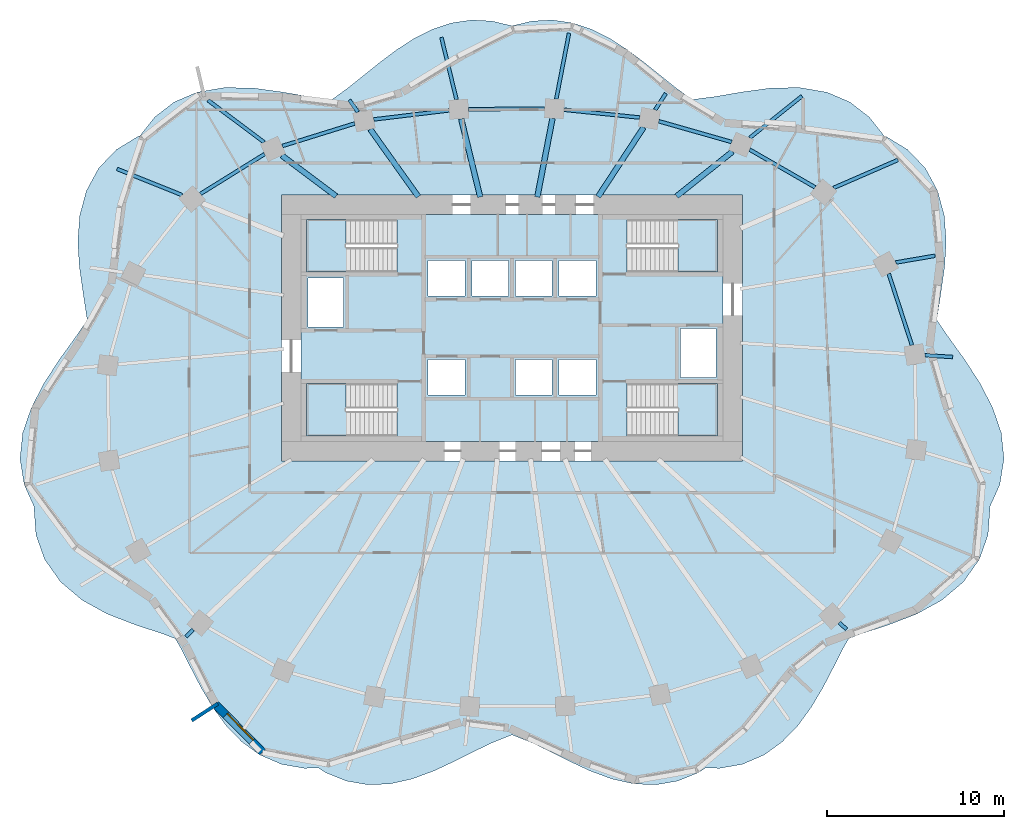
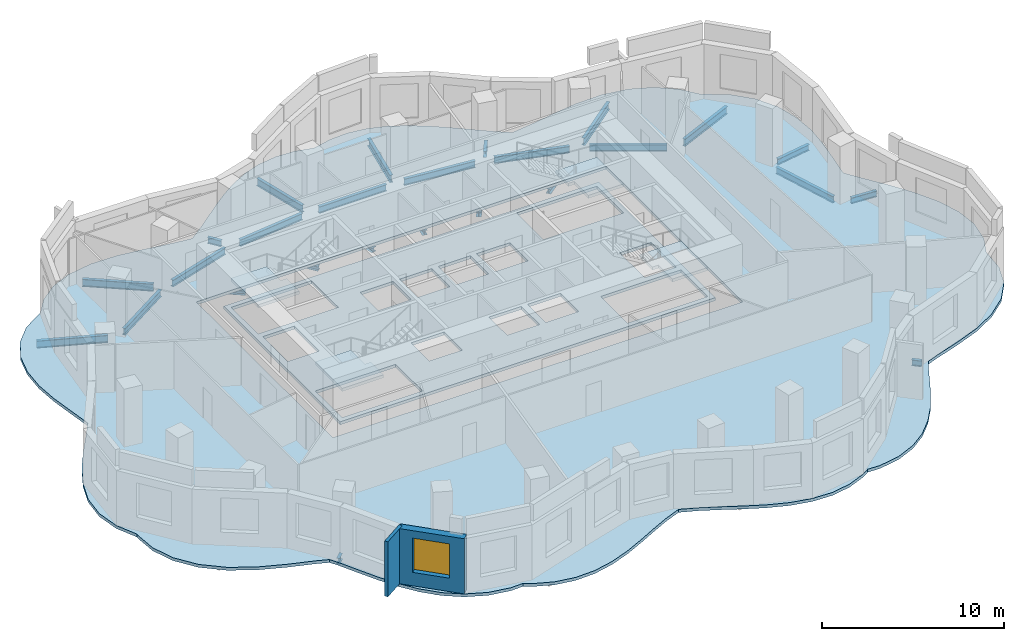
# One storey, part 2 of 9: 26 beams, 6 slabs, 2 walls, 1 window, 1 opening, 4 elements without a shape of their own.
"""IFC4 building model written with IfcOpenShell, lengths in metres."""

from ifc_helpers import new_model, si_unit, direction, frame, frame_2d, origin, origin_2d, place, context, subcontext, project, spatial, polyline, rectangle, i_section, outline, extrude, material, layer, layer_set, material_profile, profile_set, type_object, element, fill, aggregate, save


model = new_model("IFC4")

# Units and contexts
model_context = context("Model", 3, precision=1e-05, world=origin(), true_north=direction((0.0, 1.0)))
body_context = subcontext(model_context, "Body", "Model", "MODEL_VIEW")
ifc_project = project(units=[si_unit("LENGTHUNIT", "METRE"), si_unit("AREAUNIT", "SQUARE_METRE"), si_unit("VOLUMEUNIT", "CUBIC_METRE"), si_unit("PLANEANGLEUNIT", "RADIAN"), si_unit("MASSUNIT", "GRAM", prefix="KILO")], contexts=[model_context])

# Site, building, storey
site_placement = place(None, origin())
site = spatial("IfcSite", under=ifc_project, at=site_placement, CompositionType="ELEMENT")
building_placement = place(site_placement, origin())
building = spatial("IfcBuilding", under=site, at=building_placement, Name="Rubra Terraces Tower", CompositionType="ELEMENT")
storey_placement = place(building_placement, frame((0.0, 0.0, 130.5)))
storey = spatial("IfcBuildingStorey", under=building, at=storey_placement, Name="L31", CompositionType="ELEMENT", Elevation=130.5)

# Beams
ifc_material_1 = material(Name="Steel Q355B", Category="steel")
ifc_material_profile_1 = material_profile(ifc_material_1, i_section(OverallWidth=0.199951171875, OverallDepth=0.39990234375, WebThickness=0.008056640625, FlangeThickness=0.012939453125, at=origin_2d()), Name="HN 400x200x8x13")
ifc_profile_set_1 = profile_set([ifc_material_profile_1], Name="Steel Q355B")
beam_type_1 = type_object("IfcBeamType", Name="CANTILEVER BEAM HN 400x200x8x13", PredefinedType="BEAM", material=ifc_profile_set_1)
beam_1_placement = place(storey_placement, frame((23.298095703125, 2.9560546875, -0.39990234375), z_axis=(0.997804377755, -0.066230081789, 0.0), x_axis=(0.066230081789, 0.997804377755, 0.0)))
element("IfcBeam", 1, at=beam_1_placement, inside=storey, type_object=beam_type_1, Name="beam-L31-cant-01", PredefinedType="BEAM", context=body_context, shape_type="SweptSolid", body=[
    extrude(i_section(OverallWidth=0.199951171875, OverallDepth=0.39990234375, WebThickness=0.008056640625, FlangeThickness=0.012939453125, at=origin_2d()), origin(), (0.0, 0.0, 1.0), 1.5703125),
])
beam_2_placement = place(storey_placement, frame((21.656982421875, 8.18798828125, -0.39990234375), z_axis=(0.985785822731, 0.168006879925, 0.0), x_axis=(-0.168006879925, 0.985785822731, 0.0)))
element("IfcBeam", 2, at=beam_2_placement, inside=storey, type_object=beam_type_1, Name="beam-L31-cant-02", PredefinedType="BEAM", context=body_context, shape_type="SweptSolid", body=[
    extrude(i_section(OverallWidth=0.199951171875, OverallDepth=0.39990234375, WebThickness=0.008056640625, FlangeThickness=0.012939453125, at=origin_2d()), origin(), (0.0, 0.0, 1.0), 2.23779296875),
])
ifc_material_profile_2 = material_profile(ifc_material_1, i_section(OverallWidth=0.198974609375, OverallDepth=0.49609375, WebThickness=0.009033203125, FlangeThickness=0.013916015625, at=origin_2d()), Name="HN 496x199x9x14")
ifc_profile_set_2 = profile_set([ifc_material_profile_2], Name="Steel Q355B")
beam_type_2 = type_object("IfcBeamType", Name="CANTILEVER BEAM HN 496x199x9x14", PredefinedType="BEAM", material=ifc_profile_set_2)
beam_3_placement = place(storey_placement, frame((18.14990234375, 12.39697265625, -0.447998046875), z_axis=(0.916966850316, 0.398963401105, 0.0), x_axis=(-0.398963401105, 0.916966850316, 0.0)))
element("IfcBeam", 3, at=beam_3_placement, inside=storey, type_object=beam_type_2, Name="beam-L31-cant-03", PredefinedType="BEAM", context=body_context, shape_type="SweptSolid", body=[
    extrude(i_section(OverallWidth=0.198974609375, OverallDepth=0.49609375, WebThickness=0.009033203125, FlangeThickness=0.013916015625, at=origin_2d()), origin(), (0.0, 0.0, 1.0), 3.949951171875),
])
beam_4_placement = place(storey_placement, frame((13.416015625, 15.222900390625, -0.447998046875), z_axis=(0.781134074702, 0.624363321584, 0.0), x_axis=(-0.624363321584, 0.781134074702, 0.0)))
element("IfcBeam", 4, at=beam_4_placement, inside=storey, type_object=beam_type_2, Name="beam-L31-cant-04", PredefinedType="BEAM", context=body_context, shape_type="SweptSolid", body=[
    extrude(i_section(OverallWidth=0.198974609375, OverallDepth=0.49609375, WebThickness=0.009033203125, FlangeThickness=0.013916015625, at=origin_2d()), origin(), (0.0, 0.0, 1.0), 3.770263671875),
])
beam_5_placement = place(storey_placement, frame((2.498046875, 17.406982421875, -0.447998046875), z_axis=(0.189863542484, 0.981810488452, 0.0), x_axis=(-0.981810488452, 0.189863542484, 0.0)))
element("IfcBeam", 5, at=beam_5_placement, inside=storey, type_object=beam_type_2, Name="beam-L31-cant-06", PredefinedType="BEAM", context=body_context, shape_type="SweptSolid", body=[
    extrude(i_section(OverallWidth=0.198974609375, OverallDepth=0.49609375, WebThickness=0.009033203125, FlangeThickness=0.013916015625, at=origin_2d()), origin(), (0.0, 0.0, 1.0), 3.786865234375),
])
beam_6_placement = place(storey_placement, frame((-3.131103515625, 17.37890625, -0.447998046875), z_axis=(-0.236144325216, 0.971717992871, 0.0), x_axis=(-0.971717992871, -0.236144325216, 0.0)))
element("IfcBeam", 6, at=beam_6_placement, inside=storey, type_object=beam_type_2, Name="beam-L31-cant-07", PredefinedType="BEAM", context=body_context, shape_type="SweptSolid", body=[
    extrude(i_section(OverallWidth=0.198974609375, OverallDepth=0.49609375, WebThickness=0.009033203125, FlangeThickness=0.013916015625, at=origin_2d()), origin(), (0.0, 0.0, 1.0), 3.607177734375),
])
beam_7_placement = place(storey_placement, frame((-13.989013671875, 14.971923828125, -0.447998046875), z_axis=(-0.80051150228, 0.599317390635, 0.0), x_axis=(-0.599317390635, -0.80051150228, 0.0)))
element("IfcBeam", 7, at=beam_7_placement, inside=storey, type_object=beam_type_2, Name="beam-L31-cant-09", PredefinedType="BEAM", context=body_context, shape_type="SweptSolid", body=[
    extrude(i_section(OverallWidth=0.198974609375, OverallDepth=0.49609375, WebThickness=0.009033203125, FlangeThickness=0.013916015625, at=origin_2d()), origin(), (0.0, 0.0, 1.0), 3.94970703125),
])
beam_8_placement = place(storey_placement, frame((-18.6201171875, 11.991943359375, -0.447998046875), z_axis=(-0.927758876375, 0.373180207551, 0.0), x_axis=(-0.373180207551, -0.927758876375, 0.0)))
element("IfcBeam", 8, at=beam_8_placement, inside=storey, type_object=beam_type_2, Name="beam-L31-cant-10", PredefinedType="BEAM", context=body_context, shape_type="SweptSolid", body=[
    extrude(i_section(OverallWidth=0.198974609375, OverallDepth=0.49609375, WebThickness=0.009033203125, FlangeThickness=0.013916015625, at=origin_2d()), origin(), (0.0, 0.0, 1.0), 3.9501953125),
])
ifc_material_profile_3 = material_profile(ifc_material_1, i_section(OverallWidth=0.199951171875, OverallDepth=0.39990234375, WebThickness=0.008056640625, FlangeThickness=0.012939453125, at=origin_2d()), Name="HN 400x200x8x13")
ifc_profile_set_3 = profile_set([ifc_material_profile_3], Name="Steel Q355B")
beam_type_3 = type_object("IfcBeamType", Name="CANTILEVER STUB HN 400x200x8x13", PredefinedType="BEAM", material=ifc_profile_set_3)
beam_9_placement = place(storey_placement, frame((8.076904296875, 16.803955078125, -0.39990234375), z_axis=(0.548922002117, 0.835873576321, 0.0), x_axis=(-0.835873576321, 0.548922002117, 0.0)))
element("IfcBeam", 9, at=beam_9_placement, inside=storey, type_object=beam_type_3, Name="beam-L31-cant-05", PredefinedType="BEAM", context=body_context, shape_type="SweptSolid", body=[
    extrude(i_section(OverallWidth=0.199951171875, OverallDepth=0.39990234375, WebThickness=0.008056640625, FlangeThickness=0.012939453125, at=origin_2d()), origin(), (0.0, 0.0, 1.0), 1.104248046875),
])
beam_10_placement = place(storey_placement, frame((-8.695068359375, 16.679931640625, -0.39990234375), z_axis=(-0.581377766879, 0.813633758013, 0.0), x_axis=(-0.813633758013, -0.581377766879, 0.0)))
element("IfcBeam", 10, at=beam_10_placement, inside=storey, type_object=beam_type_3, Name="beam-L31-cant-08", PredefinedType="BEAM", context=body_context, shape_type="SweptSolid", body=[
    extrude(i_section(OverallWidth=0.199951171875, OverallDepth=0.39990234375, WebThickness=0.008056640625, FlangeThickness=0.012939453125, at=origin_2d()), origin(), (0.0, 0.0, 1.0), 0.827392578125),
])
beam_11_placement = place(storey_placement, frame((-17.986083984375, -12.531982421875, -0.39990234375), z_axis=(-0.726444897189, -0.687224716777, 0.0), x_axis=(0.687224716777, -0.726444897189, 0.0)))
element("IfcBeam", 11, at=beam_11_placement, inside=storey, type_object=beam_type_3, Name="beam-L31-cant-15", PredefinedType="BEAM", context=body_context, shape_type="SweptSolid", body=[
    extrude(i_section(OverallWidth=0.199951171875, OverallDepth=0.39990234375, WebThickness=0.008056640625, FlangeThickness=0.012939453125, at=origin_2d()), origin(), (0.0, 0.0, 1.0), 0.560302734375),
])
beam_12_placement = place(storey_placement, frame((18.4619140625, -12.133056640625, -0.39990234375), z_axis=(0.741990577172, -0.670410309727, 0.0), x_axis=(0.670410309727, 0.741990577172, 0.0)))
element("IfcBeam", 12, at=beam_12_placement, inside=storey, type_object=beam_type_3, Name="beam-L31-cant-22", PredefinedType="BEAM", context=body_context, shape_type="SweptSolid", body=[
    extrude(i_section(OverallWidth=0.199951171875, OverallDepth=0.39990234375, WebThickness=0.008056640625, FlangeThickness=0.012939453125, at=origin_2d()), origin(), (0.0, 0.0, 1.0), 0.559326171875),
])
ifc_material_profile_4 = material_profile(ifc_material_1, i_section(OverallWidth=0.304931640625, OverallDepth=0.300048828125, WebThickness=0.014892578125, FlangeThickness=0.014892578125, at=origin_2d()), Name="HW 300x305x15x15")
ifc_profile_set_4 = profile_set([ifc_material_profile_4], Name="Steel Q355B")
beam_type_4 = type_object("IfcBeamType", Name="FLOOR BEAM HW 300x305x15x15", PredefinedType="BEAM", material=ifc_profile_set_4)
beam_13_placement = place(storey_placement, frame((12.43798828125, 14.44091796875, -0.35009765625), z_axis=(-0.781170160898, -0.624318171867, 0.0), x_axis=(0.624318171867, -0.781170160898, 0.0)))
element("IfcBeam", 13, at=beam_13_placement, inside=storey, type_object=beam_type_4, Name="beam-L31-floor-04", PredefinedType="BEAM", context=body_context, shape_type="SweptSolid", body=[
    extrude(i_section(OverallWidth=0.304931640625, OverallDepth=0.300048828125, WebThickness=0.014892578125, FlangeThickness=0.014892578125, at=origin_2d()), origin(), (0.0, 0.0, 1.0), 4.02978515625),
])
beam_14_placement = place(storey_placement, frame((7.425048828125, 15.81005859375, -0.35009765625), z_axis=(-0.548820601732, -0.835940157616, 0.0), x_axis=(0.835940157616, -0.548820601732, 0.0)))
element("IfcBeam", 14, at=beam_14_placement, inside=storey, type_object=beam_type_4, Name="beam-L31-floor-05", PredefinedType="BEAM", context=body_context, shape_type="SweptSolid", body=[
    extrude(i_section(OverallWidth=0.304931640625, OverallDepth=0.300048828125, WebThickness=0.014892578125, FlangeThickness=0.014892578125, at=origin_2d()), origin(), (0.0, 0.0, 1.0), 4.677490234375),
])
beam_15_placement = place(storey_placement, frame((2.285888671875, 16.31689453125, -0.35009765625), z_axis=(-0.189927794489, -0.981798061151, 0.0), x_axis=(0.981798061151, -0.189927794489, 0.0)))
element("IfcBeam", 15, at=beam_15_placement, inside=storey, type_object=beam_type_4, Name="beam-L31-floor-06", PredefinedType="BEAM", context=body_context, shape_type="SweptSolid", body=[
    extrude(i_section(OverallWidth=0.304931640625, OverallDepth=0.300048828125, WebThickness=0.014892578125, FlangeThickness=0.014892578125, at=origin_2d()), origin(), (0.0, 0.0, 1.0), 4.51708984375),
])
beam_16_placement = place(storey_placement, frame((-2.866943359375, 16.29296875, -0.35009765625), z_axis=(0.236214306521, -0.971700983531, 0.0), x_axis=(0.971700983531, 0.236214306521, 0.0)))
element("IfcBeam", 16, at=beam_16_placement, inside=storey, type_object=beam_type_4, Name="beam-L31-floor-07", PredefinedType="BEAM", context=body_context, shape_type="SweptSolid", body=[
    extrude(i_section(OverallWidth=0.304931640625, OverallDepth=0.300048828125, WebThickness=0.014892578125, FlangeThickness=0.014892578125, at=origin_2d()), origin(), (0.0, 0.0, 1.0), 4.538330078125),
])
beam_17_placement = place(storey_placement, frame((-7.9990234375, 15.7041015625, -0.35009765625), z_axis=(0.581010755177, -0.813895879317, 0.0), x_axis=(0.813895879317, 0.581010755177, 0.0)))
element("IfcBeam", 17, at=beam_17_placement, inside=storey, type_object=beam_type_4, Name="beam-L31-floor-08", PredefinedType="BEAM", context=body_context, shape_type="SweptSolid", body=[
    extrude(i_section(OverallWidth=0.304931640625, OverallDepth=0.300048828125, WebThickness=0.014892578125, FlangeThickness=0.014892578125, at=origin_2d()), origin(), (0.0, 0.0, 1.0), 4.67138671875),
])
beam_18_placement = place(storey_placement, frame((-12.985107421875, 14.219970703125, -0.35009765625), z_axis=(0.800566460925, -0.599243975057, 0.0), x_axis=(0.599243975057, 0.800566460925, 0.0)))
element("IfcBeam", 18, at=beam_18_placement, inside=storey, type_object=beam_type_4, Name="beam-L31-floor-09", PredefinedType="BEAM", context=body_context, shape_type="SweptSolid", body=[
    extrude(i_section(OverallWidth=0.304931640625, OverallDepth=0.300048828125, WebThickness=0.014892578125, FlangeThickness=0.014892578125, at=origin_2d()), origin(), (0.0, 0.0, 1.0), 3.82470703125),
])
ifc_material_profile_5 = material_profile(ifc_material_1, i_section(OverallWidth=0.198974609375, OverallDepth=0.446044921875, WebThickness=0.008056640625, FlangeThickness=0.011962890625, at=origin_2d()), Name="HN 446x199x8x12")
ifc_profile_set_5 = profile_set([ifc_material_profile_5], Name="Steel Q355B")
beam_type_5 = type_object("IfcBeamType", Name="SPANDREL BEAM HN 446x199x8x12", PredefinedType="SPANDREL", material=ifc_profile_set_5)
beam_19_placement = place(storey_placement, frame((22.56201171875, 3.52197265625, -0.423095703125), z_axis=(-0.308462461648, 0.951236516201, 0.0), x_axis=(-0.951236516201, -0.308462461648, 0.0)))
element("IfcBeam", 19, at=beam_19_placement, inside=storey, type_object=beam_type_5, Name="beam-L31-spandrel-01", PredefinedType="SPANDREL", context=body_context, shape_type="SweptSolid", body=[
    extrude(i_section(OverallWidth=0.198974609375, OverallDepth=0.446044921875, WebThickness=0.008056640625, FlangeThickness=0.011962890625, at=origin_2d()), origin(), (0.0, 0.0, 1.0), 4.24072265625),
])
beam_20_placement = place(storey_placement, frame((17.10009765625, 12.428955078125, -0.423095703125), z_axis=(-0.866560147027, 0.49907265161, 0.0), x_axis=(-0.49907265161, -0.866560147027, 0.0)))
element("IfcBeam", 20, at=beam_20_placement, inside=storey, type_object=beam_type_5, Name="beam-L31-spandrel-03", PredefinedType="SPANDREL", context=body_context, shape_type="SweptSolid", body=[
    extrude(i_section(OverallWidth=0.198974609375, OverallDepth=0.446044921875, WebThickness=0.008056640625, FlangeThickness=0.011962890625, at=origin_2d()), origin(), (0.0, 0.0, 1.0), 4.26171875),
])
beam_21_placement = place(storey_placement, frame((12.39404296875, 14.98388671875, -0.423095703125), z_axis=(-0.961693978406, 0.274125321518, 0.0), x_axis=(-0.274125321518, -0.961693978406, 0.0)))
element("IfcBeam", 21, at=beam_21_placement, inside=storey, type_object=beam_type_5, Name="beam-L31-spandrel-04", PredefinedType="SPANDREL", context=body_context, shape_type="SweptSolid", body=[
    extrude(i_section(OverallWidth=0.198974609375, OverallDepth=0.446044921875, WebThickness=0.008056640625, FlangeThickness=0.011962890625, at=origin_2d()), origin(), (0.0, 0.0, 1.0), 4.27587890625),
])
beam_22_placement = place(storey_placement, frame((7.201904296875, 16.364013671875, -0.423095703125), z_axis=(-0.994691190497, 0.102904983103, 0.0), x_axis=(-0.102904983103, -0.994691190497, 0.0)))
element("IfcBeam", 22, at=beam_22_placement, inside=storey, type_object=beam_type_5, Name="beam-L31-spandrel-05", PredefinedType="SPANDREL", context=body_context, shape_type="SweptSolid", body=[
    extrude(i_section(OverallWidth=0.198974609375, OverallDepth=0.446044921875, WebThickness=0.008056640625, FlangeThickness=0.011962890625, at=origin_2d()), origin(), (0.0, 0.0, 1.0), 4.28466796875),
])
beam_23_placement = place(storey_placement, frame((1.841064453125, 16.85888671875, -0.423095703125), z_axis=(-0.999989371096, -0.004610606731, 0.0), x_axis=(0.004610606731, -0.999989371096, 0.0)))
element("IfcBeam", 23, at=beam_23_placement, inside=storey, type_object=beam_type_5, Name="beam-L31-spandrel-06", PredefinedType="SPANDREL", context=body_context, shape_type="SweptSolid", body=[
    extrude(i_section(OverallWidth=0.198974609375, OverallDepth=0.446044921875, WebThickness=0.008056640625, FlangeThickness=0.011962890625, at=origin_2d()), origin(), (0.0, 0.0, 1.0), 4.2890625),
])
beam_24_placement = place(storey_placement, frame((-3.5458984375, 16.77001953125, -0.423095703125), z_axis=(-0.992833084949, -0.119509269223, 0.0), x_axis=(0.119509269223, -0.992833084949, 0.0)))
element("IfcBeam", 24, at=beam_24_placement, inside=storey, type_object=beam_type_5, Name="beam-L31-spandrel-07", PredefinedType="SPANDREL", context=body_context, shape_type="SweptSolid", body=[
    extrude(i_section(OverallWidth=0.198974609375, OverallDepth=0.446044921875, WebThickness=0.008056640625, FlangeThickness=0.011962890625, at=origin_2d()), origin(), (0.0, 0.0, 1.0), 4.283935546875),
])
beam_25_placement = place(storey_placement, frame((-8.8740234375, 16.028076171875, -0.423095703125), z_axis=(-0.955002801089, -0.296596780008, 0.0), x_axis=(0.296596780008, -0.955002801089, 0.0)))
element("IfcBeam", 25, at=beam_25_placement, inside=storey, type_object=beam_type_5, Name="beam-L31-spandrel-08", PredefinedType="SPANDREL", context=body_context, shape_type="SweptSolid", body=[
    extrude(i_section(OverallWidth=0.198974609375, OverallDepth=0.446044921875, WebThickness=0.008056640625, FlangeThickness=0.011962890625, at=origin_2d()), origin(), (0.0, 0.0, 1.0), 4.275390625),
])
beam_26_placement = place(storey_placement, frame((-13.9580078125, 14.303955078125, -0.423095703125), z_axis=(-0.849549830498, -0.527508374816, 0.0), x_axis=(0.527508374816, -0.849549830498, 0.0)))
element("IfcBeam", 26, at=beam_26_placement, inside=storey, type_object=beam_type_5, Name="beam-L31-spandrel-09", PredefinedType="SPANDREL", context=body_context, shape_type="SweptSolid", body=[
    extrude(i_section(OverallWidth=0.198974609375, OverallDepth=0.446044921875, WebThickness=0.008056640625, FlangeThickness=0.011962890625, at=origin_2d()), origin(), (0.0, 0.0, 1.0), 4.259765625),
])

# Slab
ifc_material_2 = material(Name="Concrete C40", Category="concrete")
ifc_layer_1 = layer(ifc_material_2, 0.199951171875)
ifc_layer_set_1 = layer_set([ifc_layer_1], Name="Concrete C40")
slab_type_1 = type_object("IfcSlabType", Name="Core floor slab 200 concrete", PredefinedType="FLOOR", material=ifc_layer_set_1)
slab_1_placement = place(storey_placement, frame((0.0, 0.0, -0.199951171875)))
element("IfcSlab", 27, at=slab_1_placement, inside=storey, type_object=slab_type_1, Name="CORE FLOOR SLAB L31", PredefinedType="FLOOR", context=body_context, shape_type="SweptSolid", body=[
    extrude(outline(polyline([(-11.89990234375, -1.89990234375), (-11.89990234375, 10.89990234375), (11.89990234375, 10.89990234375), (11.89990234375, -1.89990234375), (-11.89990234375, -1.89990234375)]), holes=[polyline([(11.597900390625, -1.597900390625), (11.597900390625, 1.347900390625), (6.501953125, 1.347900390625), (6.501953125, -1.597900390625), (11.597900390625, -1.597900390625)]), polyline([(11.597900390625, 7.652099609375), (11.597900390625, 10.597900390625), (6.501953125, 10.597900390625), (6.501953125, 7.652099609375), (11.597900390625, 7.652099609375)]), polyline([(9.5, 1.699951171875), (11.5, 1.699951171875), (11.5, 4.449951171875), (9.5, 4.449951171875), (9.5, 1.699951171875)]), polyline([(4.75, 0.699951171875), (4.75, 2.699951171875), (2.64990234375, 2.699951171875), (2.64990234375, 0.699951171875), (4.75, 0.699951171875)]), polyline([(4.75, 6.300048828125), (4.75, 8.300048828125), (2.64990234375, 8.300048828125), (2.64990234375, 6.300048828125), (4.75, 6.300048828125)]), polyline([(2.25, 0.699951171875), (2.25, 2.699951171875), (0.199951171875, 2.699951171875), (0.199951171875, 0.699951171875), (2.25, 0.699951171875)]), polyline([(2.25, 6.300048828125), (2.25, 8.300048828125), (0.199951171875, 8.300048828125), (0.199951171875, 6.300048828125), (2.25, 6.300048828125)]), polyline([(-0.199951171875, 6.300048828125), (-0.199951171875, 8.300048828125), (-2.25, 8.300048828125), (-2.25, 6.300048828125), (-0.199951171875, 6.300048828125)]), polyline([(-2.64990234375, 0.699951171875), (-2.64990234375, 2.699951171875), (-4.75, 2.699951171875), (-4.75, 0.699951171875), (-2.64990234375, 0.699951171875)]), polyline([(-2.64990234375, 8.300048828125), (-4.75, 8.300048828125), (-4.75, 6.300048828125), (-2.64990234375, 6.300048828125), (-2.64990234375, 8.300048828125)]), polyline([(-11.597900390625, -1.597900390625), (-6.501953125, -1.597900390625), (-6.501953125, 1.347900390625), (-11.597900390625, 1.347900390625), (-11.597900390625, -1.597900390625)]), polyline([(-11.597900390625, 7.652099609375), (-6.501953125, 7.652099609375), (-6.501953125, 10.597900390625), (-11.597900390625, 10.597900390625), (-11.597900390625, 7.652099609375)]), polyline([(-9.5, 7.300048828125), (-11.5, 7.300048828125), (-11.5, 4.550048828125), (-9.5, 4.550048828125), (-9.5, 7.300048828125)])]), origin(), (0.0, 0.0, 1.0), 0.199951171875),
])

# Stair, slab
stair_type = type_object("IfcStairType", Name="Core stair 1400", PredefinedType="HALF_TURN_STAIR", material=ifc_material_2)
stair_1_placement = place(storey_placement, origin())
stair_1 = element("IfcStair", 28, at=stair_1_placement, inside=storey, type_object=stair_type, Name="L31 Exit stair S1", PredefinedType="HALF_TURN_STAIR")
ifc_layer_2 = layer(ifc_material_2, 0.199951171875)
ifc_layer_set_2 = layer_set([ifc_layer_2], Name="Concrete C40")
slab_type_2 = type_object("IfcSlabType", Name="Core stair landing 200", PredefinedType="LANDING", material=ifc_layer_set_2)
slab_2_placement = place(storey_placement, frame((0.0, 0.0, 1.75)))
slab_2 = element("IfcSlab", 29, at=slab_2_placement, type_object=slab_type_2, Name="S1 landing 1", PredefinedType="LANDING", context=body_context, shape_type="SweptSolid", body=[
    extrude(outline(polyline([(-8.97998046875, -0.199951171875), (-8.97998046875, -1.60009765625), (-9.360107421875, -1.60009765625), (-9.3798828125, -1.60009765625), (-11.60009765625, -1.60009765625), (-11.60009765625, 1.35009765625), (-9.3798828125, 1.35009765625), (-9.35791015625, 1.35009765625), (-9.35791015625, -0.050048828125), (-9.360107421875, -0.050048828125), (-9.360107421875, -0.199951171875), (-8.97998046875, -0.199951171875)])), origin(), (0.0, 0.0, 1.0), 0.199951171875),
])
aggregate(stair_1, [slab_2])

stair_2_placement = place(storey_placement, origin())
stair_2 = element("IfcStair", 30, at=stair_2_placement, inside=storey, type_object=stair_type, Name="L31 Exit stair S2", PredefinedType="HALF_TURN_STAIR")
slab_3_placement = place(storey_placement, frame((0.0, 0.0, 1.75)))
slab_3 = element("IfcSlab", 31, at=slab_3_placement, type_object=slab_type_2, Name="S2 landing 1", PredefinedType="LANDING", context=body_context, shape_type="SweptSolid", body=[
    extrude(outline(polyline([(-8.97998046875, 9.050048828125), (-8.97998046875, 7.64990234375), (-9.3798828125, 7.64990234375), (-11.60009765625, 7.64990234375), (-11.60009765625, 10.60009765625), (-9.3798828125, 10.60009765625), (-9.360107421875, 10.60009765625), (-9.35791015625, 10.60009765625), (-9.35791015625, 9.199951171875), (-9.360107421875, 9.199951171875), (-9.360107421875, 9.050048828125), (-8.97998046875, 9.050048828125)])), origin(), (0.0, 0.0, 1.0), 0.199951171875),
])
aggregate(stair_2, [slab_3])

stair_3_placement = place(storey_placement, origin())
stair_3 = element("IfcStair", 32, at=stair_3_placement, inside=storey, type_object=stair_type, Name="L31 Exit stair S3", PredefinedType="HALF_TURN_STAIR")
slab_4_placement = place(storey_placement, frame((0.0, 0.0, 1.75)))
slab_4 = element("IfcSlab", 33, at=slab_4_placement, type_object=slab_type_2, Name="S3 landing 1", PredefinedType="LANDING", context=body_context, shape_type="SweptSolid", body=[
    extrude(outline(polyline([(9.360107421875, 9.050048828125), (9.360107421875, 9.199951171875), (8.97998046875, 9.199951171875), (8.97998046875, 10.60009765625), (9.360107421875, 10.60009765625), (9.3798828125, 10.60009765625), (11.60009765625, 10.60009765625), (11.60009765625, 7.64990234375), (9.3798828125, 7.64990234375), (9.35791015625, 7.64990234375), (9.35791015625, 9.050048828125), (9.360107421875, 9.050048828125)])), origin(), (0.0, 0.0, 1.0), 0.199951171875),
])
aggregate(stair_3, [slab_4])

stair_4_placement = place(storey_placement, origin())
stair_4 = element("IfcStair", 34, at=stair_4_placement, inside=storey, type_object=stair_type, Name="L31 Exit stair S4", PredefinedType="HALF_TURN_STAIR")
slab_5_placement = place(storey_placement, frame((0.0, 0.0, 1.75)))
slab_5 = element("IfcSlab", 35, at=slab_5_placement, type_object=slab_type_2, Name="S4 landing 1", PredefinedType="LANDING", context=body_context, shape_type="SweptSolid", body=[
    extrude(outline(polyline([(9.360107421875, -0.199951171875), (9.360107421875, -0.050048828125), (8.97998046875, -0.050048828125), (8.97998046875, 1.35009765625), (9.360107421875, 1.35009765625), (9.3798828125, 1.35009765625), (11.60009765625, 1.35009765625), (11.60009765625, -1.60009765625), (9.3798828125, -1.60009765625), (9.360107421875, -1.60009765625), (9.35791015625, -1.60009765625), (9.35791015625, -0.199951171875), (9.360107421875, -0.199951171875)])), origin(), (0.0, 0.0, 1.0), 0.199951171875),
])
aggregate(stair_4, [slab_5])

# Slab
ifc_layer_3 = layer(ifc_material_2, 0.199951171875)
ifc_layer_set_3 = layer_set([ifc_layer_3], Name="Concrete C40")
slab_type_3 = type_object("IfcSlabType", Name="FLOOR SLAB 200 COMPOSITE", PredefinedType="FLOOR", material=ifc_layer_set_3)
slab_6_placement = place(storey_placement, frame((0.0, 0.0, -0.199951171875)))
element("IfcSlab", 36, at=slab_6_placement, inside=storey, type_object=slab_type_3, Name="FLOOR SLAB L31", PredefinedType="FLOOR", context=body_context, shape_type="SweptSolid", body=[
    extrude(outline(polyline([(18.68603515625, -13.575927734375), (18.998046875, -13.033935546875), (19.68798828125, -12.76904296875), (21.23095703125, -12.264892578125), (22.845947265625, -11.64111328125), (24.2529296875, -10.863037109375), (25.468017578125, -9.8359375), (26.367919921875, -8.56689453125), (26.85693359375, -7.18896484375), (26.966064453125, -5.718017578125), (26.949951171875, -5.618896484375), (27.52001953125, -4.35888671875), (27.758056640625, -2.89501953125), (27.60400390625, -1.422119140625), (27.116943359375, 0.0), (26.39990234375, 1.382080078125), (25.549072265625, 2.694091796875), (24.676025390625, 3.907958984375), (23.97607421875, 4.924072265625), (23.986083984375, 5.06591796875), (24.195068359375, 6.444091796875), (24.408935546875, 7.930908203125), (24.4990234375, 9.3798828125), (24.387939453125, 10.840087890625), (24.011962890625, 12.235107421875), (23.31494140625, 13.51611328125), (22.318115234375, 14.55810546875), (21.076904296875, 15.31298828125), (20.986083984375, 15.342041015625), (20.157958984375, 16.39111328125), (19.06201171875, 17.238037109375), (17.787109375, 17.787109375), (16.205078125, 18.05908203125), (14.56103515625, 18.02392578125), (12.93310546875, 17.801025390625), (11.493896484375, 17.552001953125), (10.166015625, 17.3798828125), (10.117919921875, 17.408935546875), (9.2080078125, 18.072021484375), (8.35205078125, 18.756103515625), (7.468017578125, 19.468017578125), (6.550048828125, 20.159912109375), (5.5458984375, 20.81201171875), (4.5048828125, 21.339111328125), (3.43701171875, 21.697998046875), (2.2880859375, 21.867919921875), (1.136962890625, 21.80908203125), (0.0, 21.537109375), (-1.136962890625, 21.80908203125), (-2.2880859375, 21.867919921875), (-3.43701171875, 21.697998046875), (-4.5048828125, 21.339111328125), (-5.5458984375, 20.81201171875), (-6.550048828125, 20.159912109375), (-7.468017578125, 19.468017578125), (-8.35205078125, 18.756103515625), (-9.2080078125, 18.072021484375), (-10.117919921875, 17.408935546875), (-10.166015625, 17.3798828125), (-11.493896484375, 17.552001953125), (-12.93310546875, 17.801025390625), (-14.56103515625, 18.02392578125), (-16.205078125, 18.05908203125), (-17.787109375, 17.787109375), (-19.06201171875, 17.238037109375), (-20.157958984375, 16.39111328125), (-21.032958984375, 15.281982421875), (-20.986083984375, 15.342041015625), (-21.076904296875, 15.31298828125), (-22.318115234375, 14.55810546875), (-23.31494140625, 13.51611328125), (-24.011962890625, 12.235107421875), (-24.387939453125, 10.840087890625), (-24.4990234375, 9.3798828125), (-24.408935546875, 7.930908203125), (-24.195068359375, 6.444091796875), (-23.986083984375, 5.06591796875), (-23.97607421875, 4.924072265625), (-24.676025390625, 3.907958984375), (-25.549072265625, 2.694091796875), (-26.39990234375, 1.382080078125), (-27.116943359375, 0.0), (-27.60400390625, -1.422119140625), (-27.758056640625, -2.89501953125), (-27.52001953125, -4.35888671875), (-26.949951171875, -5.618896484375), (-26.966064453125, -5.718017578125), (-26.85693359375, -7.18896484375), (-26.367919921875, -8.56689453125), (-25.468017578125, -9.8359375), (-24.2529296875, -10.863037109375), (-22.845947265625, -11.64111328125), (-21.23095703125, -12.264892578125), (-19.68798828125, -12.76904296875), (-18.9990234375, -13.033935546875), (-18.68603515625, -13.575927734375), (-18.14306640625, -14.64404296875), (-17.55908203125, -15.77001953125), (-16.89501953125, -16.89501953125), (-16.1259765625, -17.947021484375), (-15.238037109375, -18.864990234375), (-14.23388671875, -19.591064453125), (-13.013916015625, -20.12109375), (-11.705078125, -20.35302734375), (-10.344970703125, -20.302978515625), (-10.93408203125, -20.324951171875), (-10.498046875, -20.60302734375), (-9.344970703125, -21.069091796875), (-8.137939453125, -21.279052734375), (-6.89892578125, -21.23291015625), (-5.633056640625, -20.951904296875), (-4.3798828125, -20.487060546875), (-3.154052734375, -19.912109375), (-2.0859375, -19.3740234375), (-1.0390625, -18.873046875), (0.0, -18.462890625), (1.0390625, -18.873046875), (2.0859375, -19.3740234375), (3.154052734375, -19.912109375), (4.3798828125, -20.487060546875), (5.633056640625, -20.951904296875), (6.89892578125, -21.23291015625), (8.137939453125, -21.279052734375), (9.344970703125, -21.069091796875), (10.498046875, -20.60302734375), (11.498046875, -19.965087890625), (10.93408203125, -20.324951171875), (11.705078125, -20.35302734375), (13.013916015625, -20.12109375), (14.23388671875, -19.591064453125), (15.238037109375, -18.864990234375), (16.1259765625, -17.947021484375), (16.89501953125, -16.89501953125), (17.55908203125, -15.77001953125), (18.14306640625, -14.64404296875), (18.68603515625, -13.575927734375)]), holes=[polyline([(13.0, 12.0), (13.0, -3.0), (-13.0, -3.0), (-13.0, 12.0), (13.0, 12.0)])]), origin(), (0.0, 0.0, 1.0), 0.199951171875),
])

# Wall, opening, window
ifc_material_3 = material(Name="Brick masonry red-brown", Category="masonry")
ifc_layer_4 = layer(ifc_material_3, 0.449951171875)
ifc_layer_set_4 = layer_set([ifc_layer_4], Name="Brick masonry red-brown")
wall_type_1 = type_object("IfcWallType", Name="Brick facade wall 450", PredefinedType="SOLIDWALL", material=ifc_layer_set_4)
wall_1_placement = place(storey_placement, frame((-16.73486328125, -16.73681640625, 0.0), z_axis=(0.0, 0.0, 1.0), x_axis=(0.702451084622, -0.711732023808, 0.0)))
wall_1 = element("IfcWall", 37, at=wall_1_placement, inside=storey, type_object=wall_type_1, Name="Facade wall L31 bay 26", PredefinedType="SOLIDWALL", context=body_context, shape_type="SweptSolid", body=[
    extrude(rectangle(XDim=3.7880859375, YDim=0.449951171875, at=frame_2d((1.89404296875, 0.0))), origin(), (0.0, 0.0, 1.0), 3.699951171875),
])
opening_placement = place(wall_1_placement, frame((0.843994140625, 0.0, 0.89990234375)))
opening = element("IfcOpeningElement", 38, at=opening_placement, cuts=wall_1, Name="Opening W1B", PredefinedType="OPENING", context=body_context, shape_type="SweptSolid", body=[
    extrude(rectangle(XDim=2.10009765625, YDim=2.300048828125, at=frame_2d((1.050048828125, 1.14990234375))), frame((0.0, 0.23486328125, 0.0), z_axis=(0.0, -1.0, 0.0), x_axis=(1.0, 0.0, 0.0)), (0.0, 0.0, 1.0), 0.469970703125),
])
ifc_material_4 = material(Name="Clear glass in aluminium frame", Category="aluminium")
window_type = type_object("IfcWindowType", Name="Fixed deep-set window tall storey 2100 x 2300", PartitioningType="SINGLE_PANEL", PredefinedType="WINDOW", material=ifc_material_4)
window_placement = place(opening_placement, origin())
window = element("IfcWindow", 39, at=window_placement, inside=storey, type_object=window_type, Name="Window L31 bay 26", OverallHeight=2.300048828125, OverallWidth=2.10009765625, PartitioningType="SINGLE_PANEL", PredefinedType="WINDOW", context=body_context, shape_type="SweptSolid", body=[
    extrude(rectangle(XDim=2.10009765625, YDim=2.300048828125, at=frame_2d((1.050048828125, 1.14990234375))), frame((0.0, 0.135009765625, 0.0), z_axis=(0.0, -1.0, 0.0), x_axis=(1.0, 0.0, 0.0)), (0.0, 0.0, 1.0), 0.06005859375),
])
fill(opening, window)

# Wall
ifc_layer_5 = layer(ifc_material_3, 0.199951171875)
ifc_layer_set_5 = layer_set([ifc_layer_5], Name="Brick masonry red-brown")
wall_type_2 = type_object("IfcWallType", Name="Brick wind fin 200", PredefinedType="SOLIDWALL", material=ifc_layer_set_5)
wall_2_placement = place(storey_placement, frame((-16.60205078125, -16.702880859375, 0.0), z_axis=(0.0, 0.0, 1.0), x_axis=(-0.8390232549, -0.54409555938, 0.0)))
element("IfcWall", 40, at=wall_2_placement, inside=storey, type_object=wall_type_2, Name="Wind fin L31 13", PredefinedType="SOLIDWALL", context=body_context, shape_type="SweptSolid", body=[
    extrude(rectangle(XDim=1.75, YDim=0.199951171875, at=frame_2d((0.875, 0.0))), origin(), (0.0, 0.0, 1.0), 3.699951171875),
])

save(model, "model.ifc")
